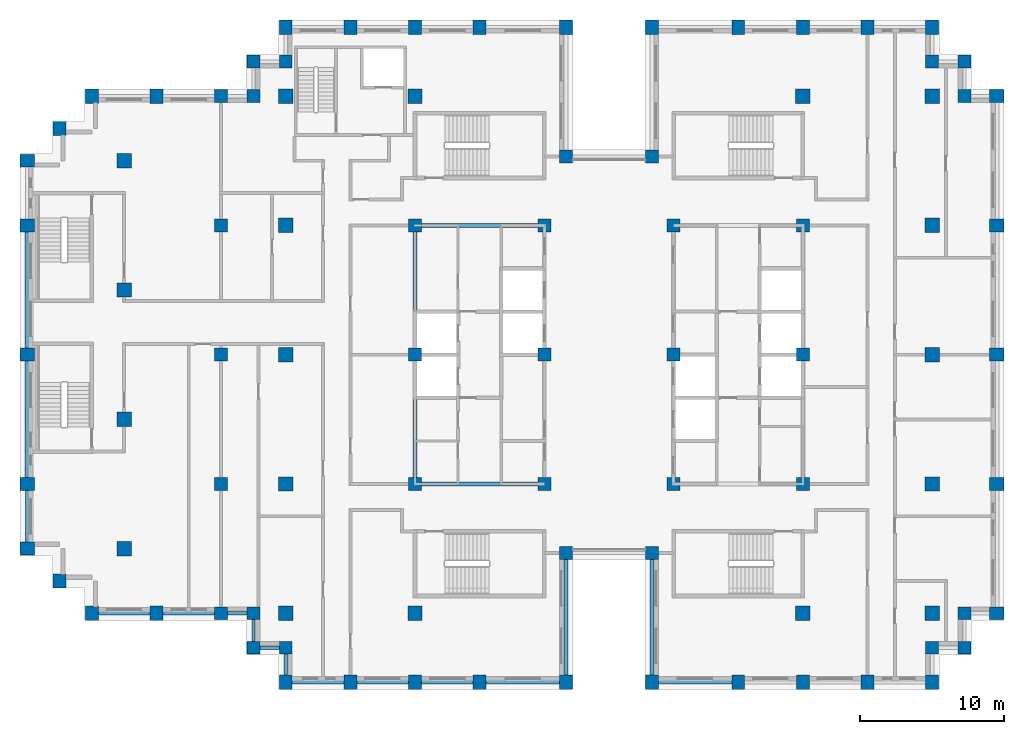
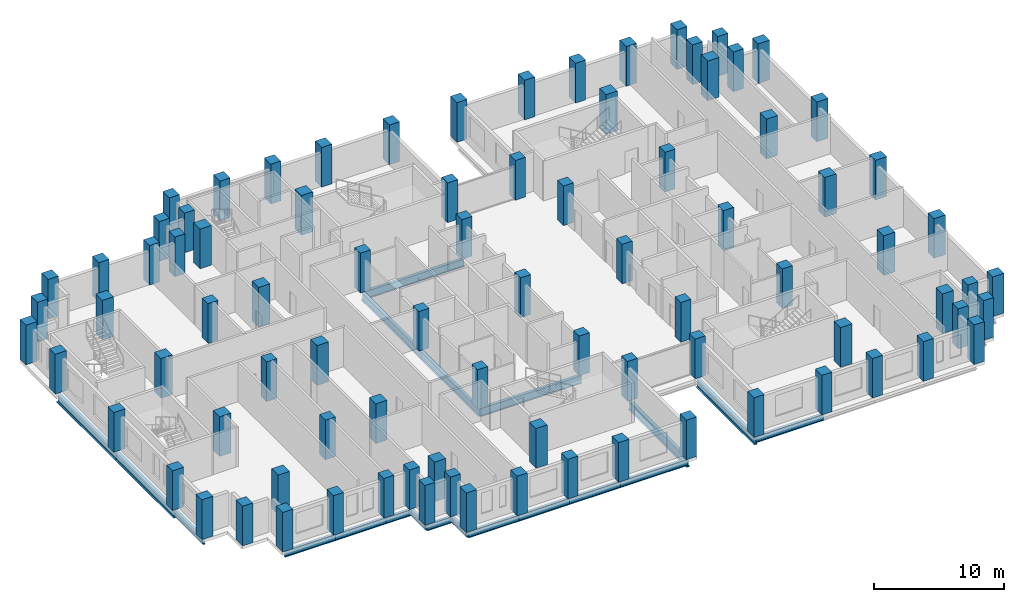
# One storey, part 1 of 15: 87 columns, 20 beams.
"""IFC4 building model written with IfcOpenShell, lengths in metres."""

from ifc_helpers import new_model, si_unit, direction, frame, origin, origin_2d, place, context, subcontext, project, spatial, rectangle, i_section, extrude, material, material_profile, profile_set, type_object, element, save


model = new_model("IFC4")

# Units and contexts
model_context = context("Model", 3, precision=1e-05, world=origin(), true_north=direction((0.0, 1.0)))
body_context = subcontext(model_context, "Body", "Model", "MODEL_VIEW")
ifc_project = project(units=[si_unit("LENGTHUNIT", "METRE"), si_unit("AREAUNIT", "SQUARE_METRE"), si_unit("VOLUMEUNIT", "CUBIC_METRE"), si_unit("PLANEANGLEUNIT", "RADIAN"), si_unit("MASSUNIT", "GRAM", prefix="KILO")], contexts=[model_context])

# Site, building, storey
site_placement = place(None, origin())
site = spatial("IfcSite", under=ifc_project, at=site_placement, CompositionType="ELEMENT")
building_placement = place(site_placement, origin())
building = spatial("IfcBuilding", under=site, at=building_placement, Name="Corbelhall Arena Tower", CompositionType="ELEMENT")
storey_placement = place(building_placement, frame((0.0, 0.0, 200.0)))
storey = spatial("IfcBuildingStorey", under=building, at=storey_placement, Name="L41", CompositionType="ELEMENT", Elevation=200.0)

# Columns
ifc_material_1 = material(Name="Concrete C80/95", Category="concrete")
ifc_material_profile_1 = material_profile(ifc_material_1, rectangle(XDim=1.0, YDim=1.0, at=origin_2d()))
ifc_profile_set_1 = profile_set([ifc_material_profile_1], Name="Concrete C80/95")
column_type_1 = type_object("IfcColumnType", Name="ST-COL-RC 1000x1000", PredefinedType="COLUMN", material=ifc_profile_set_1)
for number, where, z_axis, x_axis, name in (
    (1, (-33.75, 4.5, 0.0), (0.0, 0.0, 1.0), (1.0, 0.0, 0.0), "Column FIC+0450"),
    (2, (-33.75, 13.5, 0.0), (0.0, 0.0, 1.0), (1.0, 0.0, 0.0), "Column FIC+1350"),
    (3, (-33.75, -4.5, 0.0), (0.0, 0.0, 1.0), (1.0, 0.0, 0.0), "Column FIC-0450"),
    (4, (-33.75, -13.5, 0.0), (0.0, 0.0, 1.0), (1.0, 0.0, 0.0), "Column FIC-1350"),
    (5, (13.5, 18.0, 0.0), (0.0, 0.0, 1.0), (1.0, 0.0, 0.0), "Column IE13+1800"),
    (6, (13.5, -18.0, 0.0), (0.0, 0.0, 1.0), (1.0, 0.0, 0.0), "Column IE13-1800"),
    (7, (22.5, 0.0, 0.0), (0.0, 0.0, 1.0), (1.0, 0.0, 0.0), "Column IE22+0000"),
    (8, (22.5, 9.0, 0.0), (0.0, 0.0, 1.0), (1.0, 0.0, 0.0), "Column IE22+0900"),
    (9, (22.5, 18.0, 0.0), (0.0, 0.0, 1.0), (1.0, 0.0, 0.0), "Column IE22+1800"),
    (10, (22.5, -9.0, 0.0), (0.0, 0.0, 1.0), (1.0, 0.0, 0.0), "Column IE22-0900"),
    (11, (22.5, -18.0, 0.0), (0.0, 0.0, 1.0), (1.0, 0.0, 0.0), "Column IE22-1800"),
    (12, (-13.5, 18.0, 0.0), (0.0, 0.0, 1.0), (1.0, 0.0, 0.0), "Column IW13+1800"),
    (13, (-13.5, -18.0, 0.0), (0.0, 0.0, 1.0), (1.0, 0.0, 0.0), "Column IW13-1800"),
    (14, (-22.5, 0.0, 0.0), (0.0, 0.0, 1.0), (1.0, 0.0, 0.0), "Column IW22+0000"),
    (15, (-22.5, 9.0, 0.0), (0.0, 0.0, 1.0), (1.0, 0.0, 0.0), "Column IW22+0900"),
    (16, (-22.5, 18.0, 0.0), (0.0, 0.0, 1.0), (1.0, 0.0, 0.0), "Column IW22+1800"),
    (17, (-22.5, -9.0, 0.0), (0.0, 0.0, 1.0), (1.0, 0.0, 0.0), "Column IW22-0900"),
    (18, (-22.5, -18.0, 0.0), (0.0, 0.0, 1.0), (1.0, 0.0, 0.0), "Column IW22-1800"),
):
    element("IfcColumn", number, at=place(storey_placement, frame(where, z_axis=z_axis, x_axis=x_axis)), inside=storey, type_object=column_type_1, Name=name, PredefinedType="COLUMN", context=body_context, shape_type="SweptSolid", body=[
        extrude(rectangle(XDim=1.0, YDim=1.0, at=origin_2d()), origin(), (0.0, 0.0, 1.0), 3.719970703125),
    ])
ifc_material_profile_2 = material_profile(ifc_material_1, rectangle(XDim=0.89990234375, YDim=1.0, at=origin_2d()))
ifc_profile_set_2 = profile_set([ifc_material_profile_2], Name="Concrete C80/95")
column_type_2 = type_object("IfcColumnType", Name="ST-COL-RC 900x1000", PredefinedType="COLUMN", material=ifc_profile_set_2)
for number, where, z_axis, x_axis, name in (
    (19, (-40.5, 0.0, 0.0), (0.0, 0.0, 1.0), (0.0, 1.0, 0.0), "Column FC+0000"),
    (20, (-40.5, 9.0, 0.0), (0.0, 0.0, 1.0), (0.0, 1.0, 0.0), "Column FC+0900"),
    (21, (-40.5, 13.5, 0.0), (0.0, 0.0, 1.0), (0.0, 1.0, 0.0), "Column FC+1350"),
    (22, (-40.5, -9.0, 0.0), (0.0, 0.0, 1.0), (0.0, 1.0, 0.0), "Column FC-0900"),
    (23, (-40.5, -13.5, 0.0), (0.0, 0.0, 1.0), (0.0, 1.0, 0.0), "Column FC-1350"),
    (24, (-38.25, 15.75, 0.0), (0.0, 0.0, 1.0), (1.0, 0.0, 0.0), "Column FCCN"),
    (25, (-38.25, -15.75, 0.0), (0.0, 0.0, 1.0), (1.0, 0.0, 0.0), "Column FCCS"),
    (26, (-31.5, 18.0, 0.0), (0.0, 0.0, 1.0), (1.0, 0.0, 0.0), "Column FCN3150"),
    (27, (-36.0, 18.0, 0.0), (0.0, 0.0, 1.0), (1.0, 0.0, 0.0), "Column FCN3600"),
    (28, (-31.5, -18.0, 0.0), (0.0, 0.0, 1.0), (1.0, 0.0, 0.0), "Column FCS3150"),
    (29, (-36.0, -18.0, 0.0), (0.0, 0.0, 1.0), (1.0, 0.0, 0.0), "Column FCS3600"),
    (30, (27.0, 0.0, 0.0), (0.0, 0.0, 1.0), (0.0, 1.0, 0.0), "Column PE+0000"),
    (31, (27.0, 9.0, 0.0), (0.0, 0.0, 1.0), (0.0, 1.0, 0.0), "Column PE+0900"),
    (32, (27.0, 18.0, 0.0), (0.0, 0.0, 1.0), (0.0, 1.0, 0.0), "Column PE+1800"),
    (33, (27.0, -9.0, 0.0), (0.0, 0.0, 1.0), (0.0, 1.0, 0.0), "Column PE-0900"),
    (34, (27.0, -18.0, 0.0), (0.0, 0.0, 1.0), (0.0, 1.0, 0.0), "Column PE-1800"),
    (35, (3.0, 22.800048828125, 0.0), (0.0, 0.0, 1.0), (1.0, 0.0, 0.0), "Column PNE0300"),
    (36, (9.0, 22.800048828125, 0.0), (0.0, 0.0, 1.0), (1.0, 0.0, 0.0), "Column PNE0900"),
    (37, (13.5, 22.800048828125, 0.0), (0.0, 0.0, 1.0), (1.0, 0.0, 0.0), "Column PNE1350"),
    (38, (18.0, 22.800048828125, 0.0), (0.0, 0.0, 1.0), (1.0, 0.0, 0.0), "Column PNE1800"),
    (39, (22.5, 22.800048828125, 0.0), (0.0, 0.0, 1.0), (1.0, 0.0, 0.0), "Column PNE2250"),
    (40, (-3.0, 22.800048828125, 0.0), (0.0, 0.0, 1.0), (1.0, 0.0, 0.0), "Column PNW0300"),
    (41, (-9.0, 22.800048828125, 0.0), (0.0, 0.0, 1.0), (1.0, 0.0, 0.0), "Column PNW0900"),
    (42, (-13.5, 22.800048828125, 0.0), (0.0, 0.0, 1.0), (1.0, 0.0, 0.0), "Column PNW1350"),
    (43, (-18.0, 22.800048828125, 0.0), (0.0, 0.0, 1.0), (1.0, 0.0, 0.0), "Column PNW1800"),
    (44, (-22.5, 22.800048828125, 0.0), (0.0, 0.0, 1.0), (1.0, 0.0, 0.0), "Column PNW2250"),
    (45, (3.0, -22.800048828125, 0.0), (0.0, 0.0, 1.0), (1.0, 0.0, 0.0), "Column PSE0300"),
    (46, (9.0, -22.800048828125, 0.0), (0.0, 0.0, 1.0), (1.0, 0.0, 0.0), "Column PSE0900"),
    (47, (13.5, -22.800048828125, 0.0), (0.0, 0.0, 1.0), (1.0, 0.0, 0.0), "Column PSE1350"),
    (48, (18.0, -22.800048828125, 0.0), (0.0, 0.0, 1.0), (1.0, 0.0, 0.0), "Column PSE1800"),
    (49, (22.5, -22.800048828125, 0.0), (0.0, 0.0, 1.0), (1.0, 0.0, 0.0), "Column PSE2250"),
    (50, (-3.0, -22.800048828125, 0.0), (0.0, 0.0, 1.0), (1.0, 0.0, 0.0), "Column PSW0300"),
    (51, (-9.0, -22.800048828125, 0.0), (0.0, 0.0, 1.0), (1.0, 0.0, 0.0), "Column PSW0900"),
    (52, (-13.5, -22.800048828125, 0.0), (0.0, 0.0, 1.0), (1.0, 0.0, 0.0), "Column PSW1350"),
    (53, (-18.0, -22.800048828125, 0.0), (0.0, 0.0, 1.0), (1.0, 0.0, 0.0), "Column PSW1800"),
    (54, (-22.5, -22.800048828125, 0.0), (0.0, 0.0, 1.0), (1.0, 0.0, 0.0), "Column PSW2250"),
):
    element("IfcColumn", number, at=place(storey_placement, frame(where, z_axis=z_axis, x_axis=x_axis)), inside=storey, type_object=column_type_2, Name=name, PredefinedType="COLUMN", context=body_context, shape_type="SweptSolid", body=[
        extrude(rectangle(XDim=0.89990234375, YDim=1.0, at=origin_2d()), origin(), (0.0, 0.0, 1.0), 3.719970703125),
    ])
ifc_material_profile_3 = material_profile(ifc_material_1, rectangle(XDim=0.89990234375, YDim=0.89990234375, at=origin_2d()))
ifc_profile_set_3 = profile_set([ifc_material_profile_3], Name="Concrete C80/95")
column_type_3 = type_object("IfcColumnType", Name="ST-COL-RC 900x900", PredefinedType="COLUMN", material=ifc_profile_set_3)
for number, where, z_axis, x_axis, name in (
    (55, (4.5, 0.0, 0.0), (0.0, 0.0, 1.0), (1.0, 0.0, 0.0), "Column KE+0450+0000"),
    (56, (4.5, 9.0, 0.0), (0.0, 0.0, 1.0), (1.0, 0.0, 0.0), "Column KE+0450+0900"),
    (57, (4.5, -9.0, 0.0), (0.0, 0.0, 1.0), (1.0, 0.0, 0.0), "Column KE+0450-0900"),
    (58, (13.5, 0.0, 0.0), (0.0, 0.0, 1.0), (1.0, 0.0, 0.0), "Column KE+1350+0000"),
    (59, (13.5, 9.0, 0.0), (0.0, 0.0, 1.0), (1.0, 0.0, 0.0), "Column KE+1350+0900"),
    (60, (13.5, -9.0, 0.0), (0.0, 0.0, 1.0), (1.0, 0.0, 0.0), "Column KE+1350-0900"),
    (61, (-4.5, 0.0, 0.0), (0.0, 0.0, 1.0), (1.0, 0.0, 0.0), "Column KW-0450+0000"),
    (62, (-4.5, 9.0, 0.0), (0.0, 0.0, 1.0), (1.0, 0.0, 0.0), "Column KW-0450+0900"),
    (63, (-4.5, -9.0, 0.0), (0.0, 0.0, 1.0), (1.0, 0.0, 0.0), "Column KW-0450-0900"),
    (64, (-13.5, 0.0, 0.0), (0.0, 0.0, 1.0), (1.0, 0.0, 0.0), "Column KW-1350+0000"),
    (65, (-13.5, 9.0, 0.0), (0.0, 0.0, 1.0), (1.0, 0.0, 0.0), "Column KW-1350+0900"),
    (66, (-13.5, -9.0, 0.0), (0.0, 0.0, 1.0), (1.0, 0.0, 0.0), "Column KW-1350-0900"),
    (67, (-27.0, 0.0, 0.0), (0.0, 0.0, 1.0), (1.0, 0.0, 0.0), "Column PW+0000"),
    (68, (-27.0, 9.0, 0.0), (0.0, 0.0, 1.0), (1.0, 0.0, 0.0), "Column PW+0900"),
    (69, (-27.0, 18.0, 0.0), (0.0, 0.0, 1.0), (1.0, 0.0, 0.0), "Column PW+1800"),
    (70, (-27.0, -9.0, 0.0), (0.0, 0.0, 1.0), (1.0, 0.0, 0.0), "Column PW-0900"),
    (71, (-27.0, -18.0, 0.0), (0.0, 0.0, 1.0), (1.0, 0.0, 0.0), "Column PW-1800"),
    (72, (3.0, 13.800048828125, 0.0), (0.0, 0.0, 1.0), (1.0, 0.0, 0.0), "Column SLNE2"),
    (73, (-3.0, 13.800048828125, 0.0), (0.0, 0.0, 1.0), (1.0, 0.0, 0.0), "Column SLNW2"),
    (74, (3.0, -13.800048828125, 0.0), (0.0, 0.0, 1.0), (1.0, 0.0, 0.0), "Column SLSE2"),
    (75, (-3.0, -13.800048828125, 0.0), (0.0, 0.0, 1.0), (1.0, 0.0, 0.0), "Column SLSW2"),
    (76, (22.5, 20.39990234375, 0.0), (0.0, 0.0, 1.0), (1.0, 0.0, 0.0), "Column XNE1"),
    (77, (24.75, 20.39990234375, 0.0), (0.0, 0.0, 1.0), (1.0, 0.0, 0.0), "Column XNE2"),
    (78, (24.75, 18.0, 0.0), (0.0, 0.0, 1.0), (1.0, 0.0, 0.0), "Column XNE3"),
    (79, (-22.5, 20.39990234375, 0.0), (0.0, 0.0, 1.0), (1.0, 0.0, 0.0), "Column XNW1"),
    (80, (-24.75, 20.39990234375, 0.0), (0.0, 0.0, 1.0), (1.0, 0.0, 0.0), "Column XNW2"),
    (81, (-24.75, 18.0, 0.0), (0.0, 0.0, 1.0), (1.0, 0.0, 0.0), "Column XNW3"),
    (82, (22.5, -20.39990234375, 0.0), (0.0, 0.0, 1.0), (1.0, 0.0, 0.0), "Column XSE1"),
    (83, (24.75, -20.39990234375, 0.0), (0.0, 0.0, 1.0), (1.0, 0.0, 0.0), "Column XSE2"),
    (84, (24.75, -18.0, 0.0), (0.0, 0.0, 1.0), (1.0, 0.0, 0.0), "Column XSE3"),
    (85, (-22.5, -20.39990234375, 0.0), (0.0, 0.0, 1.0), (1.0, 0.0, 0.0), "Column XSW1"),
    (86, (-24.75, -20.39990234375, 0.0), (0.0, 0.0, 1.0), (1.0, 0.0, 0.0), "Column XSW2"),
    (87, (-24.75, -18.0, 0.0), (0.0, 0.0, 1.0), (1.0, 0.0, 0.0), "Column XSW3"),
):
    element("IfcColumn", number, at=place(storey_placement, frame(where, z_axis=z_axis, x_axis=x_axis)), inside=storey, type_object=column_type_3, Name=name, PredefinedType="COLUMN", context=body_context, shape_type="SweptSolid", body=[
        extrude(rectangle(XDim=0.89990234375, YDim=0.89990234375, at=origin_2d()), origin(), (0.0, 0.0, 1.0), 3.719970703125),
    ])

# Beams
ifc_material_2 = material(Name="Steel ASTM A992 Gr50", Category="steel")
ifc_material_profile_4 = material_profile(ifc_material_2, i_section(OverallWidth=0.2666015625, OverallDepth=0.761962890625, WebThickness=0.014404296875, FlangeThickness=0.021484375, at=origin_2d()))
ifc_profile_set_4 = profile_set([ifc_material_profile_4], Name="Steel ASTM A992 Gr50")
beam_type_1 = type_object("IfcBeamType", Name="ST-BEAM-W30x116", PredefinedType="BEAM", material=ifc_profile_set_4)
for number, where, z_axis, x_axis, name in (
    (88, (-13.5, -9.0, -0.660888671875), (0.0, 1.0, 0.0), (-1.0, 0.0, 0.0), "Beam CEW 1"),
    (89, (-13.5, 0.0, -0.660888671875), (0.0, 1.0, 0.0), (-1.0, 0.0, 0.0), "Beam CEW 2"),
    (90, (-13.5, -9.0, -0.660888671875), (1.0, 0.0, 0.0), (0.0, 1.0, 0.0), "Beam CEW 5"),
    (91, (-13.5, 9.0, -0.660888671875), (1.0, 0.0, 0.0), (0.0, 1.0, 0.0), "Beam CEW 6"),
):
    element("IfcBeam", number, at=place(storey_placement, frame(where, z_axis=z_axis, x_axis=x_axis)), inside=storey, type_object=beam_type_1, Name=name, PredefinedType="BEAM", context=body_context, shape_type="SweptSolid", body=[
        extrude(i_section(OverallWidth=0.2666015625, OverallDepth=0.761962890625, WebThickness=0.014404296875, FlangeThickness=0.021484375, at=origin_2d()), origin(), (0.0, 0.0, 1.0), 9.0),
    ])
ifc_material_profile_5 = material_profile(ifc_material_2, i_section(OverallWidth=0.228271484375, OverallDepth=0.607177734375, WebThickness=0.01123046875, FlangeThickness=0.017333984375, at=origin_2d()))
ifc_profile_set_5 = profile_set([ifc_material_profile_5], Name="Steel ASTM A992 Gr50")
beam_type_2 = type_object("IfcBeamType", Name="ST-SPANDREL-W24x76", PredefinedType="SPANDREL", material=ifc_profile_set_5)
for number, where, z_axis, x_axis, name in (
    (92, (-40.5, -13.5, -0.58349609375), (0.0, 1.0, 0.0), (-1.0, 0.0, 0.0), "Beam SP 4"),
    (93, (-31.5, -18.0, -0.58349609375), (-1.0, 0.0, 0.0), (0.0, -1.0, 0.0), "Beam SP 7"),
):
    element("IfcBeam", number, at=place(storey_placement, frame(where, z_axis=z_axis, x_axis=x_axis)), inside=storey, type_object=beam_type_2, Name=name, PredefinedType="SPANDREL", context=body_context, shape_type="SweptSolid", body=[
        extrude(i_section(OverallWidth=0.228271484375, OverallDepth=0.607177734375, WebThickness=0.01123046875, FlangeThickness=0.017333984375, at=origin_2d()), origin(), (0.0, 0.0, 1.0), 4.5),
    ])
for number, where, z_axis, x_axis, name in (
    (94, (9.0, -22.800048828125, -0.58349609375), (-1.0, 0.0, 0.0), (0.0, -1.0, 0.0), "Beam SP 24"),
    (95, (-3.0, -22.800048828125, -0.58349609375), (-1.0, 0.0, 0.0), (0.0, -1.0, 0.0), "Beam SP 28"),
):
    element("IfcBeam", number, at=place(storey_placement, frame(where, z_axis=z_axis, x_axis=x_axis)), inside=storey, type_object=beam_type_2, Name=name, PredefinedType="SPANDREL", context=body_context, shape_type="SweptSolid", body=[
        extrude(i_section(OverallWidth=0.228271484375, OverallDepth=0.607177734375, WebThickness=0.01123046875, FlangeThickness=0.017333984375, at=origin_2d()), origin(), (0.0, 0.0, 1.0), 6.0),
    ])
for number, where, z_axis, x_axis, name in (
    (96, (-9.0, -22.800048828125, -0.58349609375), (-1.0, 0.0, 0.0), (0.0, -1.0, 0.0), "Beam SP 29"),
    (97, (-13.5, -22.800048828125, -0.58349609375), (-1.0, 0.0, 0.0), (0.0, -1.0, 0.0), "Beam SP 30"),
    (98, (-18.0, -22.800048828125, -0.58349609375), (-1.0, 0.0, 0.0), (0.0, -1.0, 0.0), "Beam SP 31"),
):
    element("IfcBeam", number, at=place(storey_placement, frame(where, z_axis=z_axis, x_axis=x_axis)), inside=storey, type_object=beam_type_2, Name=name, PredefinedType="SPANDREL", context=body_context, shape_type="SweptSolid", body=[
        extrude(i_section(OverallWidth=0.228271484375, OverallDepth=0.607177734375, WebThickness=0.01123046875, FlangeThickness=0.017333984375, at=origin_2d()), origin(), (0.0, 0.0, 1.0), 4.5),
    ])
beam_1_placement = place(storey_placement, frame((-22.5, -22.800048828125, -0.58349609375), z_axis=(0.0, 1.0, 0.0), x_axis=(-1.0, 0.0, 0.0)))
element("IfcBeam", 99, at=beam_1_placement, inside=storey, type_object=beam_type_2, Name="Beam SP 32", PredefinedType="SPANDREL", context=body_context, shape_type="SweptSolid", body=[
    extrude(i_section(OverallWidth=0.228271484375, OverallDepth=0.607177734375, WebThickness=0.01123046875, FlangeThickness=0.017333984375, at=origin_2d()), origin(), (0.0, 0.0, 1.0), 2.400146484375),
])
beam_2_placement = place(storey_placement, frame((-27.0, -18.0, -0.58349609375), z_axis=(-1.0, 0.0, 0.0), x_axis=(0.0, -1.0, 0.0)))
element("IfcBeam", 100, at=beam_2_placement, inside=storey, type_object=beam_type_2, Name="Beam SP 34", PredefinedType="SPANDREL", context=body_context, shape_type="SweptSolid", body=[
    extrude(i_section(OverallWidth=0.228271484375, OverallDepth=0.607177734375, WebThickness=0.01123046875, FlangeThickness=0.017333984375, at=origin_2d()), origin(), (0.0, 0.0, 1.0), 4.5),
])
beam_3_placement = place(storey_placement, frame((-22.5, -20.39990234375, -0.58349609375), z_axis=(-1.0, 0.0, 0.0), x_axis=(0.0, -1.0, 0.0)))
element("IfcBeam", 101, at=beam_3_placement, inside=storey, type_object=beam_type_2, Name="Beam SP 48", PredefinedType="SPANDREL", context=body_context, shape_type="SweptSolid", body=[
    extrude(i_section(OverallWidth=0.228271484375, OverallDepth=0.607177734375, WebThickness=0.01123046875, FlangeThickness=0.017333984375, at=origin_2d()), origin(), (0.0, 0.0, 1.0), 2.25),
])
beam_4_placement = place(storey_placement, frame((-24.75, -20.39990234375, -0.58349609375), z_axis=(0.0, 1.0, 0.0), x_axis=(-1.0, 0.0, 0.0)))
element("IfcBeam", 102, at=beam_4_placement, inside=storey, type_object=beam_type_2, Name="Beam SP 49", PredefinedType="SPANDREL", context=body_context, shape_type="SweptSolid", body=[
    extrude(i_section(OverallWidth=0.228271484375, OverallDepth=0.607177734375, WebThickness=0.01123046875, FlangeThickness=0.017333984375, at=origin_2d()), origin(), (0.0, 0.0, 1.0), 2.39990234375),
])
beam_5_placement = place(storey_placement, frame((-24.75, -18.0, -0.58349609375), z_axis=(-1.0, 0.0, 0.0), x_axis=(0.0, -1.0, 0.0)))
element("IfcBeam", 103, at=beam_5_placement, inside=storey, type_object=beam_type_2, Name="Beam SP 50", PredefinedType="SPANDREL", context=body_context, shape_type="SweptSolid", body=[
    extrude(i_section(OverallWidth=0.228271484375, OverallDepth=0.607177734375, WebThickness=0.01123046875, FlangeThickness=0.017333984375, at=origin_2d()), origin(), (0.0, 0.0, 1.0), 2.25),
])
ifc_material_profile_6 = material_profile(ifc_material_2, i_section(OverallWidth=0.2919921875, OverallDepth=0.845703125, WebThickness=0.015380859375, FlangeThickness=0.0244140625, at=origin_2d()))
ifc_profile_set_6 = profile_set([ifc_material_profile_6], Name="Steel ASTM A992 Gr50")
beam_type_3 = type_object("IfcBeamType", Name="ST-SPANDREL-W33x141", PredefinedType="SPANDREL", material=ifc_profile_set_6)
for number, where, z_axis, x_axis, name in (
    (104, (-40.5, 0.0, -0.702880859375), (0.0, 1.0, 0.0), (-1.0, 0.0, 0.0), "Beam SP 1"),
    (105, (-40.5, -9.0, -0.702880859375), (0.0, 1.0, 0.0), (-1.0, 0.0, 0.0), "Beam SP 3"),
    (106, (3.0, -22.800048828125, -0.702880859375), (0.0, 1.0, 0.0), (-1.0, 0.0, 0.0), "Beam SP 23"),
    (107, (-3.0, -13.800048828125, -0.702880859375), (0.0, -1.0, 0.0), (1.0, 0.0, 0.0), "Beam SP 38"),
):
    element("IfcBeam", number, at=place(storey_placement, frame(where, z_axis=z_axis, x_axis=x_axis)), inside=storey, type_object=beam_type_3, Name=name, PredefinedType="SPANDREL", context=body_context, shape_type="SweptSolid", body=[
        extrude(i_section(OverallWidth=0.2919921875, OverallDepth=0.845703125, WebThickness=0.015380859375, FlangeThickness=0.0244140625, at=origin_2d()), origin(), (0.0, 0.0, 1.0), 9.0),
    ])

save(model, "model.ifc")
